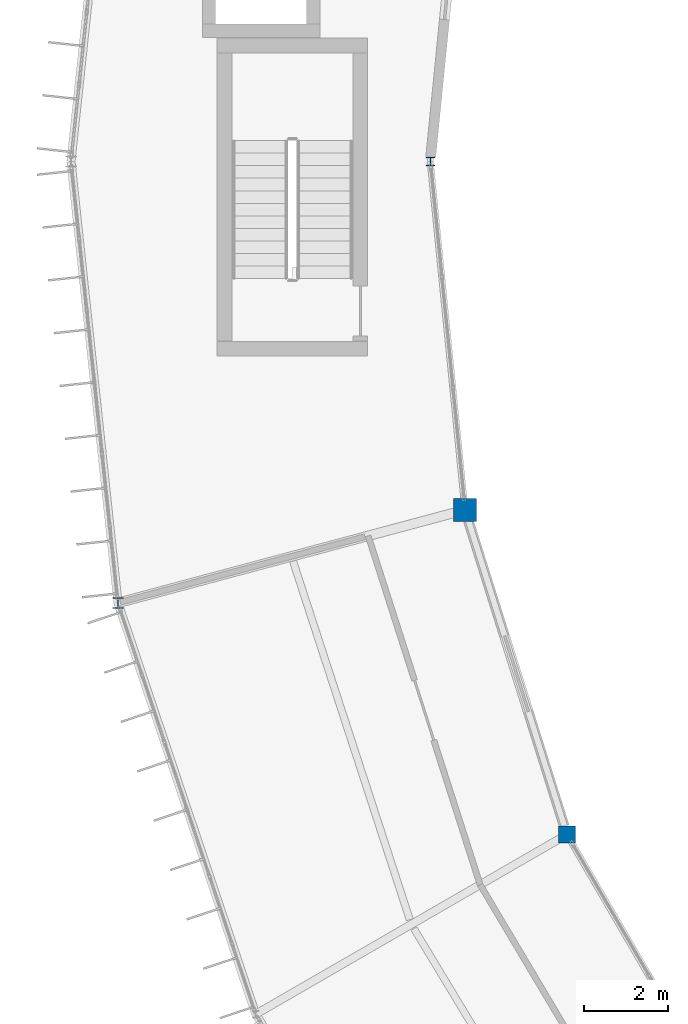
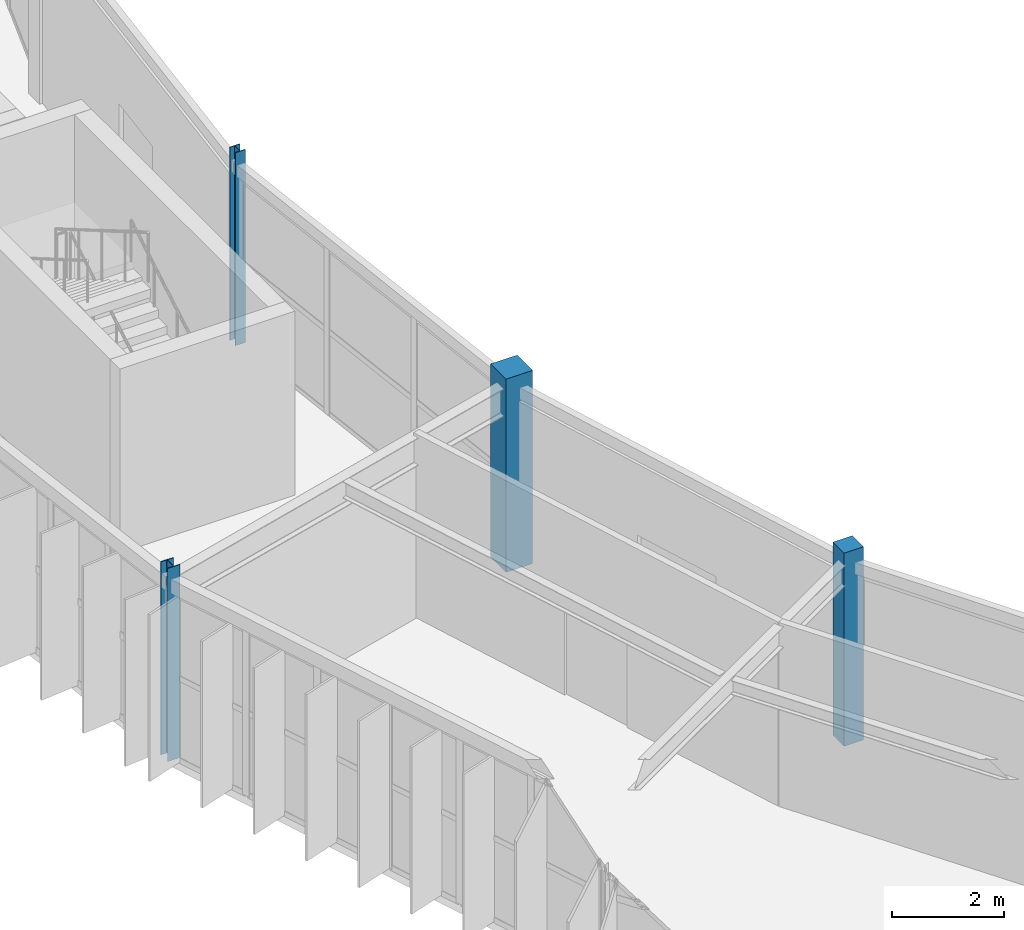
# One storey, part 6 of 130: 4 columns.
"""IFC4 building model written with IfcOpenShell, lengths in metres."""

from ifc_helpers import new_model, si_unit, direction, frame, origin, origin_2d, place, context, subcontext, project, spatial, rectangle, i_section, extrude, material, material_profile, profile_set, type_object, element, save


model = new_model("IFC4")

# Units and contexts
model_context = context("Model", 3, precision=1e-05, world=origin(), true_north=direction((0.0, 1.0)))
body_context = subcontext(model_context, "Body", "Model", "MODEL_VIEW")
ifc_project = project(units=[si_unit("LENGTHUNIT", "METRE"), si_unit("AREAUNIT", "SQUARE_METRE"), si_unit("VOLUMEUNIT", "CUBIC_METRE"), si_unit("PLANEANGLEUNIT", "RADIAN"), si_unit("MASSUNIT", "GRAM", prefix="KILO")], contexts=[model_context])

# Site, building, storey
site_placement = place(None, origin())
site = spatial("IfcSite", under=ifc_project, at=site_placement, CompositionType="ELEMENT")
building_placement = place(site_placement, origin())
building = spatial("IfcBuilding", under=site, at=building_placement, Name="Karori Crest Natural Sciences Institute", CompositionType="ELEMENT")
storey_placement = place(building_placement, frame((0.0, 0.0, 17.5)))
storey = spatial("IfcBuildingStorey", under=building, at=storey_placement, Name="L04", CompositionType="ELEMENT", Elevation=17.5)

# Columns
ifc_material_1 = material(Name="Structural steel AS/NZS 3679.1 Grade 350", Category="steel")
ifc_material_profile_1 = material_profile(ifc_material_1, i_section(OverallWidth=0.25390625, OverallDepth=0.25390625, WebThickness=0.008544921875, FlangeThickness=0.01416015625, FilletRadius=0.013916015625, at=origin_2d()), Name="250UC72.9")
ifc_profile_set_1 = profile_set([ifc_material_profile_1], Name="Structural steel AS/NZS 3679.1 Grade 350")
column_type_1 = type_object("IfcColumnType", Name="CT-07", PredefinedType="COLUMN", material=ifc_profile_set_1)
column_1_placement = place(storey_placement, frame((34.5244140625, 39.340087890625, 0.0), z_axis=(0.0, 0.0, 1.0), x_axis=(1.0, 0.0, 0.0)))
element("IfcColumn", 1, at=column_1_placement, inside=storey, type_object=column_type_1, Name="Column C-0231", PredefinedType="COLUMN", context=body_context, shape_type="SweptSolid", body=[
    extrude(i_section(OverallWidth=0.25390625, OverallDepth=0.25390625, WebThickness=0.008544921875, FlangeThickness=0.01416015625, FilletRadius=0.013916015625, at=origin_2d()), origin(), (0.0, 0.0, 1.0), 4.199951171875),
])
ifc_material_profile_2 = material_profile(ifc_material_1, i_section(OverallWidth=0.205078125, OverallDepth=0.2099609375, WebThickness=0.00927734375, FlangeThickness=0.01416015625, FilletRadius=0.010986328125, at=origin_2d()), Name="200UC59.5")
ifc_profile_set_2 = profile_set([ifc_material_profile_2], Name="Structural steel AS/NZS 3679.1 Grade 350")
column_type_2 = type_object("IfcColumnType", Name="CT-08", PredefinedType="COLUMN", material=ifc_profile_set_2)
column_2_placement = place(storey_placement, frame((42.0, 49.89990234375, 0.0), z_axis=(0.0, 0.0, 1.0), x_axis=(1.0, 0.0, 0.0)))
element("IfcColumn", 2, at=column_2_placement, inside=storey, type_object=column_type_2, Name="Column C-0216", PredefinedType="COLUMN", context=body_context, shape_type="SweptSolid", body=[
    extrude(i_section(OverallWidth=0.205078125, OverallDepth=0.2099609375, WebThickness=0.00927734375, FlangeThickness=0.01416015625, FilletRadius=0.010986328125, at=origin_2d()), origin(), (0.0, 0.0, 1.0), 4.199951171875),
])
ifc_material_2 = material(Name="Concrete 50 MPa", Category="concrete")
ifc_material_profile_3 = material_profile(ifc_material_2, rectangle(XDim=0.550048828125, YDim=0.550048828125, at=origin_2d()), Name="RC550x550")
ifc_profile_set_3 = profile_set([ifc_material_profile_3], Name="Concrete 50 MPa")
column_type_3 = type_object("IfcColumnType", Name="CT-30", PredefinedType="COLUMN", material=ifc_profile_set_3)
column_3_placement = place(storey_placement, frame((42.831298828125, 41.56591796875, 0.0), z_axis=(0.0, 0.0, 1.0), x_axis=(1.0, 0.0, 0.0)))
element("IfcColumn", 3, at=column_3_placement, inside=storey, type_object=column_type_3, Name="Column C-0232", PredefinedType="COLUMN", context=body_context, shape_type="SweptSolid", body=[
    extrude(rectangle(XDim=0.550048828125, YDim=0.550048828125, at=origin_2d()), origin(), (0.0, 0.0, 1.0), 4.199951171875),
])
ifc_material_profile_4 = material_profile(ifc_material_2, rectangle(XDim=0.39990234375, YDim=0.39990234375, at=origin_2d()), Name="RC400x400")
ifc_profile_set_4 = profile_set([ifc_material_profile_4], Name="Concrete 50 MPa")
column_type_4 = type_object("IfcColumnType", Name="CT-31", PredefinedType="PILASTER", material=ifc_profile_set_4)
column_4_placement = place(storey_placement, frame((45.26904296875, 33.800048828125, 0.0), z_axis=(0.0, 0.0, 1.0), x_axis=(1.0, 0.0, 0.0)))
element("IfcColumn", 4, at=column_4_placement, inside=storey, type_object=column_type_4, Name="Column C-0248", PredefinedType="PILASTER", context=body_context, shape_type="SweptSolid", body=[
    extrude(rectangle(XDim=0.39990234375, YDim=0.39990234375, at=origin_2d()), origin(), (0.0, 0.0, 1.0), 4.199951171875),
])

save(model, "model.ifc")
